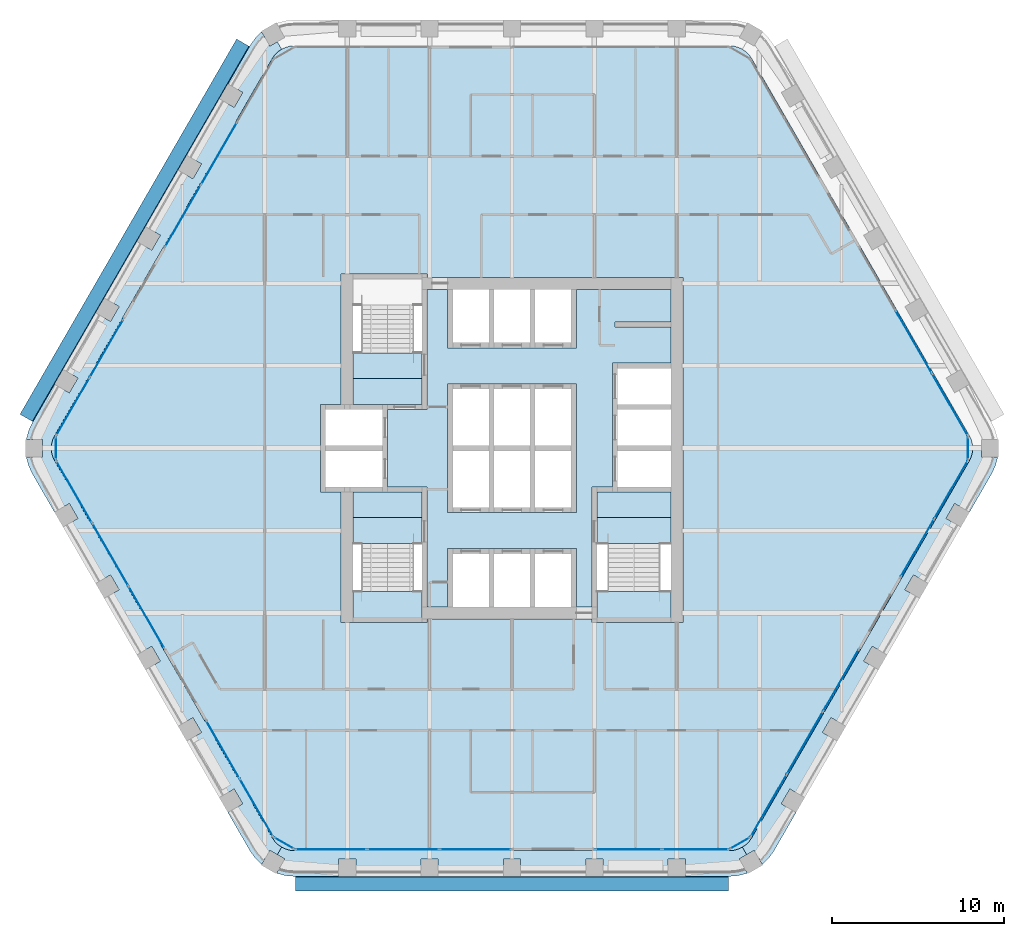
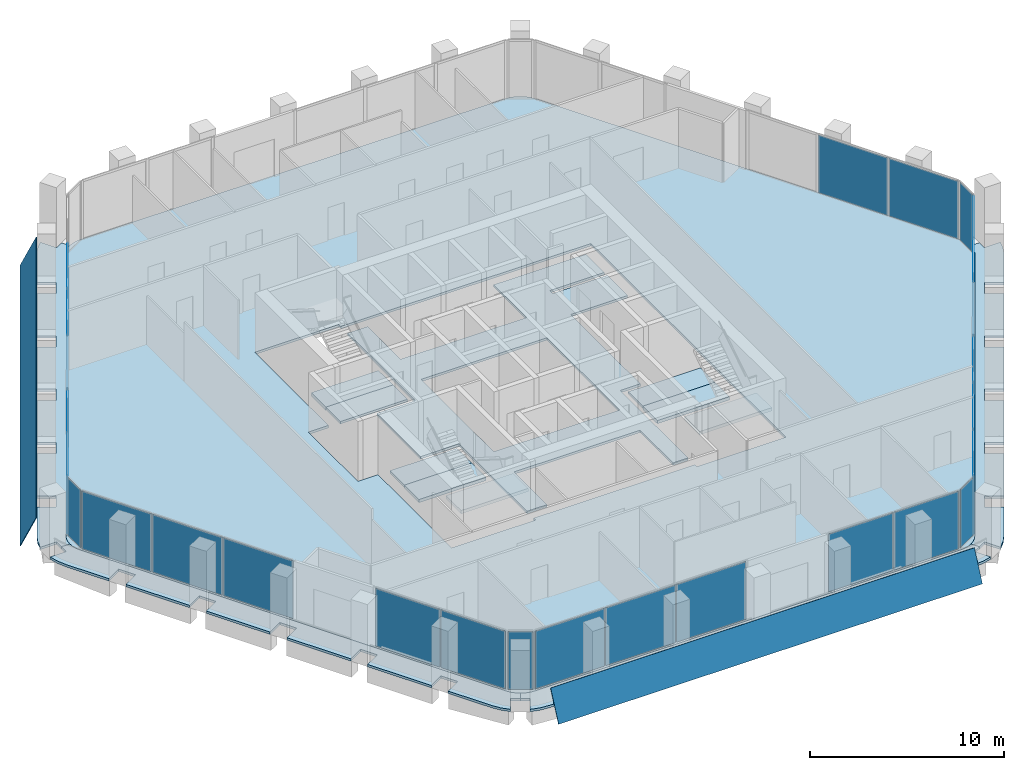
# One storey, part 7 of 15: 27 plates, 14 slabs, 16 elements without a shape of their own.
"""IFC4 building model written with IfcOpenShell, lengths in metres."""

from ifc_helpers import new_model, si_unit, direction, frame, origin, origin_2d, place, context, subcontext, project, spatial, polyline, rectangle, outline, extrude, material, layer, layer_set, type_object, element, aggregate, save


model = new_model("IFC4")

# Units and contexts
model_context = context("Model", 3, precision=1e-05, world=origin(), true_north=direction((0.0, 1.0)))
body_context = subcontext(model_context, "Body", "Model", "MODEL_VIEW")
ifc_project = project(units=[si_unit("LENGTHUNIT", "METRE"), si_unit("AREAUNIT", "SQUARE_METRE"), si_unit("VOLUMEUNIT", "CUBIC_METRE"), si_unit("PLANEANGLEUNIT", "RADIAN"), si_unit("MASSUNIT", "GRAM", prefix="KILO")], contexts=[model_context])

# Site, building, storey
site_placement = place(None, origin())
site = spatial("IfcSite", under=ifc_project, at=site_placement, CompositionType="ELEMENT")
building_placement = place(site_placement, origin())
building = spatial("IfcBuilding", under=site, at=building_placement, Name="Kolab Exchange Tower", CompositionType="ELEMENT")
storey_placement = place(building_placement, frame((0.0, 0.0, 170.0)))
storey = spatial("IfcBuildingStorey", under=building, at=storey_placement, Name="L35", CompositionType="ELEMENT", Elevation=170.0)

# Slabs
ifc_material_1 = material(Name="Concrete C35/45", Category="concrete")
ifc_layer_1 = layer(ifc_material_1, 0.14990234375)
ifc_layer_set_1 = layer_set([ifc_layer_1], Name="Concrete C35/45")
slab_type_1 = type_object("IfcSlabType", Name="FLOOR SLAB 150", PredefinedType="FLOOR", material=ifc_layer_set_1)
slab_1_placement = place(storey_placement, frame((0.0, 0.0, -0.14990234375)))
element("IfcSlab", 1, at=slab_1_placement, inside=storey, type_object=slab_type_1, Name="slab/L35/floor/0", PredefinedType="FLOOR", context=body_context, shape_type="SweptSolid", body=[
    extrude(outline(polyline([(13.967041015625, -22.691650390625), (26.635009765625, -0.75), (26.745361328125, -0.512939453125), (26.81298828125, -0.260498046875), (26.8359375, 0.0), (26.81298828125, 0.260498046875), (26.745361328125, 0.512939453125), (26.635009765625, 0.75), (13.967041015625, 22.691650390625), (13.81689453125, 22.90576171875), (13.632080078125, 23.090576171875), (13.41796875, 23.240478515625), (13.180908203125, 23.35107421875), (12.928466796875, 23.418701171875), (12.66796875, 23.441650390625), (-12.66796875, 23.441650390625), (-12.928466796875, 23.418701171875), (-13.180908203125, 23.35107421875), (-13.41796875, 23.240478515625), (-13.632080078125, 23.090576171875), (-13.81689453125, 22.90576171875), (-13.967041015625, 22.691650390625), (-26.635009765625, 0.75), (-26.745361328125, 0.512939453125), (-26.81298828125, 0.260498046875), (-26.8359375, 0.0), (-26.81298828125, -0.260498046875), (-26.745361328125, -0.512939453125), (-26.635009765625, -0.75), (-13.967041015625, -22.691650390625), (-13.81689453125, -22.90576171875), (-13.632080078125, -23.090576171875), (-13.41796875, -23.240478515625), (-13.180908203125, -23.35107421875), (-12.928466796875, -23.418701171875), (-12.66796875, -23.441650390625), (12.66796875, -23.441650390625), (12.928466796875, -23.418701171875), (13.180908203125, -23.35107421875), (13.41796875, -23.240478515625), (13.632080078125, -23.090576171875), (13.81689453125, -22.90576171875), (13.967041015625, -22.691650390625)]), holes=[polyline([(-9.25, -10.14990234375), (-9.949951171875, -10.14990234375), (-9.949951171875, -2.550048828125), (-10.85009765625, -2.550048828125), (-11.14990234375, -2.550048828125), (-11.14990234375, 2.550048828125), (-10.85009765625, 2.550048828125), (-9.949951171875, 2.550048828125), (-9.949951171875, 10.14990234375), (-9.25, 10.14990234375), (-5.25, 10.14990234375), (-4.949951171875, 10.14990234375), (-4.949951171875, 9.949951171875), (9.25, 9.949951171875), (9.949951171875, 9.949951171875), (9.949951171875, -10.14990234375), (9.25, -10.14990234375), (4.949951171875, -10.14990234375), (4.64990234375, -10.14990234375), (4.64990234375, -9.949951171875), (-4.949951171875, -9.949951171875), (-4.949951171875, -10.14990234375), (-5.25, -10.14990234375), (-9.25, -10.14990234375)])]), origin(), (0.0, 0.0, 1.0), 0.14990234375),
])
slab_2_placement = place(storey_placement, frame((0.0, 0.0, -0.14990234375)))
element("IfcSlab", 2, at=slab_2_placement, inside=storey, type_object=slab_type_1, Name="slab/L35/floor/1", PredefinedType="FLOOR", context=body_context, shape_type="SweptSolid", body=[
    extrude(outline(polyline([(-4.949951171875, 9.25), (-4.949951171875, 2.25), (-5.25, 2.25), (-7.25, 2.25), (-7.25, -2.25), (-5.25, -2.25), (-4.949951171875, -2.25), (-4.949951171875, -9.25), (-3.75, -9.25), (-3.75, -5.85009765625), (-3.449951171875, -5.85009765625), (-1.35009765625, -5.85009765625), (-1.050048828125, -5.85009765625), (1.050048828125, -5.85009765625), (1.35009765625, -5.85009765625), (3.449951171875, -5.85009765625), (3.75, -5.85009765625), (3.75, -9.25), (4.64990234375, -9.25), (4.64990234375, -2.25), (4.949951171875, -2.25), (5.85009765625, -2.25), (5.85009765625, 4.949951171875), (6.14990234375, 4.949951171875), (9.25, 4.949951171875), (9.25, 7.050048828125), (6.0, 7.050048828125), (6.0, 7.35009765625), (9.25, 7.35009765625), (9.25, 9.25), (3.75, 9.25), (3.75, 5.85009765625), (3.449951171875, 5.85009765625), (1.35009765625, 5.85009765625), (1.050048828125, 5.85009765625), (-1.050048828125, 5.85009765625), (-1.35009765625, 5.85009765625), (-3.449951171875, 5.85009765625), (-3.75, 5.85009765625), (-3.75, 9.25), (-4.949951171875, 9.25)]), holes=[polyline([(-3.449951171875, -3.75), (-3.75, -3.75), (-3.75, 3.75), (-3.449951171875, 3.75), (-1.35009765625, 3.75), (-1.050048828125, 3.75), (1.050048828125, 3.75), (1.35009765625, 3.75), (3.449951171875, 3.75), (3.75, 3.75), (3.75, -3.75), (3.449951171875, -3.75), (1.35009765625, -3.75), (1.050048828125, -3.75), (-1.050048828125, -3.75), (-1.35009765625, -3.75), (-3.449951171875, -3.75)])]), origin(), (0.0, 0.0, 1.0), 0.14990234375),
])
slab_3_placement = place(storey_placement, frame((0.0, 0.0, -0.14990234375)))
element("IfcSlab", 3, at=slab_3_placement, inside=storey, type_object=slab_type_1, Name="slab/L35/floor/2", PredefinedType="FLOOR", context=body_context, shape_type="SweptSolid", body=[
    extrude(outline(polyline([(4.949951171875, -4.050048828125), (9.25, -4.050048828125), (9.25, -2.550048828125), (6.14990234375, -2.550048828125), (5.85009765625, -2.550048828125), (4.949951171875, -2.550048828125), (4.949951171875, -4.050048828125)])), origin(), (0.0, 0.0, 1.0), 0.14990234375),
])
slab_4_placement = place(storey_placement, frame((0.0, 0.0, -0.14990234375)))
element("IfcSlab", 4, at=slab_4_placement, inside=storey, type_object=slab_type_1, Name="slab/L35/floor/3", PredefinedType="FLOOR", context=body_context, shape_type="SweptSolid", body=[
    extrude(outline(polyline([(-7.550048828125, -2.550048828125), (-9.25, -2.550048828125), (-9.25, -4.050048828125), (-5.25, -4.050048828125), (-5.25, -2.550048828125), (-7.25, -2.550048828125), (-7.550048828125, -2.550048828125)])), origin(), (0.0, 0.0, 1.0), 0.14990234375),
])
slab_5_placement = place(storey_placement, frame((0.0, 0.0, -0.14990234375)))
element("IfcSlab", 5, at=slab_5_placement, inside=storey, type_object=slab_type_1, Name="slab/L35/floor/4", PredefinedType="FLOOR", context=body_context, shape_type="SweptSolid", body=[
    extrude(outline(polyline([(-9.25, 2.550048828125), (-7.550048828125, 2.550048828125), (-7.25, 2.550048828125), (-5.25, 2.550048828125), (-5.25, 4.050048828125), (-9.25, 4.050048828125), (-9.25, 2.550048828125)])), origin(), (0.0, 0.0, 1.0), 0.14990234375),
])
ifc_layer_2 = layer(ifc_material_1, 0.14990234375)
ifc_layer_set_2 = layer_set([ifc_layer_2], Name="Concrete C35/45")
slab_type_2 = type_object("IfcSlabType", Name="LOGGIA SLAB 150", PredefinedType="FLOOR", material=ifc_layer_set_2)
slab_6_placement = place(storey_placement, frame((0.0, 0.0, -0.14990234375)))
element("IfcSlab", 6, at=slab_6_placement, inside=storey, type_object=slab_type_2, Name="slab/L35/loggia/2-0", PredefinedType="FLOOR", context=body_context, shape_type="SweptSolid", body=[
    extrude(outline(polyline([(15.26611328125, -23.441650390625), (16.550048828125, -21.217529296875), (15.68408203125, -20.717529296875), (16.18408203125, -19.8515625), (17.050048828125, -20.3515625), (18.949951171875, -17.060791015625), (18.083984375, -16.560791015625), (18.583984375, -15.694580078125), (19.449951171875, -16.194580078125), (21.35009765625, -12.90380859375), (20.48388671875, -12.40380859375), (20.98388671875, -11.537841796875), (21.85009765625, -12.037841796875), (23.75, -8.746826171875), (22.884033203125, -8.246826171875), (23.384033203125, -7.380859375), (24.25, -7.880859375), (26.14990234375, -4.58984375), (25.283935546875, -4.08984375), (25.783935546875, -3.223876953125), (26.64990234375, -3.723876953125), (27.93408203125, -1.5), (28.155029296875, -1.026123046875), (28.290283203125, -0.52099609375), (28.292236328125, -0.5), (27.3359375, -0.5), (27.3359375, 0.0), (26.8359375, 0.0), (26.81298828125, -0.260498046875), (26.745361328125, -0.512939453125), (26.635009765625, -0.75), (13.967041015625, -22.691650390625), (13.81689453125, -22.90576171875), (13.632080078125, -23.090576171875), (13.41796875, -23.240478515625), (13.66796875, -23.673583984375), (14.10107421875, -23.423583984375), (14.5791015625, -24.251708984375), (14.59619140625, -24.23974609375), (14.966064453125, -23.869873046875), (15.26611328125, -23.441650390625)])), origin(), (0.0, 0.0, 1.0), 0.14990234375),
])
slab_7_placement = place(storey_placement, frame((0.0, 0.0, -0.14990234375)))
element("IfcSlab", 7, at=slab_7_placement, inside=storey, type_object=slab_type_2, Name="slab/L35/loggia/3-0", PredefinedType="FLOOR", context=body_context, shape_type="SweptSolid", body=[
    extrude(outline(polyline([(-13.41796875, -23.240478515625), (-13.66796875, -23.673583984375), (-13.23486328125, -23.923583984375), (-13.713134765625, -24.751708984375), (-13.694091796875, -24.760498046875), (-13.18896484375, -24.89599609375), (-12.66796875, -24.941650390625), (-10.10009765625, -24.941650390625), (-10.10009765625, -23.941650390625), (-9.10009765625, -23.941650390625), (-9.10009765625, -24.941650390625), (-5.300048828125, -24.941650390625), (-5.300048828125, -23.941650390625), (-4.300048828125, -23.941650390625), (-4.300048828125, -24.941650390625), (-0.5, -24.941650390625), (-0.5, -23.941650390625), (0.5, -23.941650390625), (0.5, -24.941650390625), (4.300048828125, -24.941650390625), (4.300048828125, -23.941650390625), (5.300048828125, -23.941650390625), (5.300048828125, -24.941650390625), (9.10009765625, -24.941650390625), (9.10009765625, -23.941650390625), (10.10009765625, -23.941650390625), (10.10009765625, -24.941650390625), (12.66796875, -24.941650390625), (13.18896484375, -24.89599609375), (13.694091796875, -24.760498046875), (13.713134765625, -24.751708984375), (13.23486328125, -23.923583984375), (13.66796875, -23.673583984375), (13.41796875, -23.240478515625), (13.180908203125, -23.35107421875), (12.928466796875, -23.418701171875), (12.66796875, -23.441650390625), (-12.66796875, -23.441650390625), (-12.928466796875, -23.418701171875), (-13.180908203125, -23.35107421875), (-13.41796875, -23.240478515625)])), origin(), (0.0, 0.0, 1.0), 0.14990234375),
])
slab_8_placement = place(storey_placement, frame((0.0, 0.0, -0.14990234375)))
element("IfcSlab", 8, at=slab_8_placement, inside=storey, type_object=slab_type_2, Name="slab/L35/loggia/4-0", PredefinedType="FLOOR", context=body_context, shape_type="SweptSolid", body=[
    extrude(outline(polyline([(-26.8359375, 0.0), (-27.3359375, 0.0), (-27.3359375, -0.5), (-28.292236328125, -0.5), (-28.290283203125, -0.52099609375), (-28.155029296875, -1.026123046875), (-27.93408203125, -1.5), (-26.64990234375, -3.723876953125), (-25.783935546875, -3.223876953125), (-25.283935546875, -4.08984375), (-26.14990234375, -4.58984375), (-24.25, -7.880859375), (-23.384033203125, -7.380859375), (-22.884033203125, -8.246826171875), (-23.75, -8.746826171875), (-21.85009765625, -12.037841796875), (-20.98388671875, -11.537841796875), (-20.48388671875, -12.40380859375), (-21.35009765625, -12.90380859375), (-19.449951171875, -16.194580078125), (-18.583984375, -15.694580078125), (-18.083984375, -16.560791015625), (-18.949951171875, -17.060791015625), (-17.050048828125, -20.3515625), (-16.18408203125, -19.8515625), (-15.68408203125, -20.717529296875), (-16.550048828125, -21.217529296875), (-15.26611328125, -23.441650390625), (-14.966064453125, -23.869873046875), (-14.59619140625, -24.23974609375), (-14.5791015625, -24.251708984375), (-14.10107421875, -23.423583984375), (-13.66796875, -23.673583984375), (-13.41796875, -23.240478515625), (-13.632080078125, -23.090576171875), (-13.81689453125, -22.90576171875), (-13.967041015625, -22.691650390625), (-26.635009765625, -0.75), (-26.745361328125, -0.512939453125), (-26.81298828125, -0.260498046875), (-26.8359375, 0.0)])), origin(), (0.0, 0.0, 1.0), 0.14990234375),
])
slab_9_placement = place(storey_placement, frame((0.0, 0.0, -0.14990234375)))
element("IfcSlab", 9, at=slab_9_placement, inside=storey, type_object=slab_type_2, Name="slab/L35/loggia/5-0", PredefinedType="FLOOR", context=body_context, shape_type="SweptSolid", body=[
    extrude(outline(polyline([(-13.41796875, 23.240478515625), (-13.66796875, 23.673583984375), (-14.10107421875, 23.423583984375), (-14.5791015625, 24.251708984375), (-14.59619140625, 24.23974609375), (-14.966064453125, 23.869873046875), (-15.26611328125, 23.441650390625), (-16.550048828125, 21.217529296875), (-15.68408203125, 20.717529296875), (-16.18408203125, 19.8515625), (-17.050048828125, 20.3515625), (-18.949951171875, 17.060791015625), (-18.083984375, 16.560791015625), (-18.583984375, 15.694580078125), (-19.449951171875, 16.194580078125), (-21.35009765625, 12.90380859375), (-20.48388671875, 12.40380859375), (-20.98388671875, 11.537841796875), (-21.85009765625, 12.037841796875), (-23.75, 8.746826171875), (-22.884033203125, 8.246826171875), (-23.384033203125, 7.380859375), (-24.25, 7.880859375), (-26.14990234375, 4.58984375), (-25.283935546875, 4.08984375), (-25.783935546875, 3.223876953125), (-26.64990234375, 3.723876953125), (-27.93408203125, 1.5), (-28.155029296875, 1.026123046875), (-28.290283203125, 0.52099609375), (-28.292236328125, 0.5), (-27.3359375, 0.5), (-27.3359375, 0.0), (-26.8359375, 0.0), (-26.81298828125, 0.260498046875), (-26.745361328125, 0.512939453125), (-26.635009765625, 0.75), (-13.967041015625, 22.691650390625), (-13.81689453125, 22.90576171875), (-13.632080078125, 23.090576171875), (-13.41796875, 23.240478515625)])), origin(), (0.0, 0.0, 1.0), 0.14990234375),
])

# Plates
ifc_material_2 = material(Name="Laminated glass, clear", Category="glass")
ifc_layer_3 = layer(ifc_material_2, 0.0400390625)
ifc_layer_set_3 = layer_set([ifc_layer_3], Name="Laminated glass, clear")
plate_type_1 = type_object("IfcPlateType", Name="OUTER SKIN LAMINATED GLASS SHEET 40", PredefinedType="SHEET", material=ifc_layer_set_3)
plate_1_placement = place(storey_placement, frame((12.617919921875, -25.806640625, -0.68310546875), z_axis=(0.0, -0.906316657655, 0.422599238118), x_axis=(-1.0, 0.0, 0.0)))
element("IfcPlate", 10, at=plate_1_placement, inside=storey, type_object=plate_type_1, Name="Outer skin", PredefinedType="SHEET", context=body_context, shape_type="SweptSolid", body=[
    extrude(outline(polyline([(0.0, 0.0), (25.23583984375, 0.0), (25.23583984375, -1.961332030711248), (0.0, -1.961332030711248), (0.0, 0.0)])), origin(), (0.0, 0.0, -1.0), 0.0400390625),
])
plate_2_placement = place(storey_placement, frame((-28.658203125, 1.975830078125, -0.68310546875), z_axis=(-0.784898656704, 0.453161865271, 0.422585402693), x_axis=(0.499999968995, 0.866025421685, -9.26315e-07)))
element("IfcPlate", 11, at=plate_2_placement, inside=storey, type_object=plate_type_1, Name="Outer skin", PredefinedType="SHEET", context=body_context, shape_type="SweptSolid", body=[
    extrude(outline(polyline([(0.0, 0.0), (25.23592824607872, 0.0), (25.23580178082614, -1.96134386267648), (8.496673513263058e-05, -1.9612922777250188), (0.0, 0.0)])), origin(), (0.0, 0.0, -1.0), 0.0400390625),
])

# Stair, slab
ifc_material_3 = material(Name="Concrete C50/60", Category="concrete")
stair_type_1 = type_object("IfcStairType", Name="STAIR ST1 RISER 177.3", PredefinedType="HALF_TURN_STAIR", material=ifc_material_3)
stair_1_placement = place(storey_placement, origin())
stair_1 = element("IfcStair", 12, at=stair_1_placement, inside=storey, type_object=stair_type_1, Name="Stair 1", PredefinedType="HALF_TURN_STAIR")
ifc_layer_4 = layer(ifc_material_3, 0.199951171875)
ifc_layer_set_4 = layer_set([ifc_layer_4], Name="Concrete C50/60")
slab_type_3 = type_object("IfcSlabType", Name="STAIR LANDING 200", PredefinedType="LANDING", material=ifc_layer_set_4)
slab_10_placement = place(storey_placement, frame((0.0, 0.0, -0.199951171875)))
slab_10 = element("IfcSlab", 13, at=slab_10_placement, type_object=slab_type_3, Name="ST1 landing 1", PredefinedType="LANDING", context=body_context, shape_type="SweptSolid", body=[
    extrude(outline(polyline([(-9.25, 4.050048828125), (-5.25, 4.050048828125), (-5.25, 5.550048828125), (-9.25, 5.550048828125), (-9.25, 4.050048828125)])), origin(), (0.0, 0.0, 1.0), 0.199951171875),
])
aggregate(stair_1, [slab_10])

# Stair, slabs
stair_type_2 = type_object("IfcStairType", Name="STAIR ST3 RISER 177.3", PredefinedType="HALF_TURN_STAIR", material=ifc_material_3)
stair_2_placement = place(storey_placement, origin())
stair_2 = element("IfcStair", 14, at=stair_2_placement, inside=storey, type_object=stair_type_2, Name="Stair 3", PredefinedType="HALF_TURN_STAIR")
slab_11_placement = place(storey_placement, frame((0.0, 0.0, -0.199951171875)))
slab_11 = element("IfcSlab", 15, at=slab_11_placement, type_object=slab_type_3, Name="ST3 landing 1", PredefinedType="LANDING", context=body_context, shape_type="SweptSolid", body=[
    extrude(outline(polyline([(-9.25, -5.550048828125), (-5.25, -5.550048828125), (-5.25, -4.050048828125), (-9.25, -4.050048828125), (-9.25, -5.550048828125)])), origin(), (0.0, 0.0, 1.0), 0.199951171875),
])
slab_12_placement = place(storey_placement, frame((0.0, 0.0, 1.75)))
slab_12 = element("IfcSlab", 16, at=slab_12_placement, type_object=slab_type_3, Name="ST3 landing 2", PredefinedType="LANDING", context=body_context, shape_type="SweptSolid", body=[
    extrude(outline(polyline([(-9.25, -9.909912109375), (-5.25, -9.909912109375), (-5.25, -8.35009765625), (-9.25, -8.35009765625), (-9.25, -9.909912109375)])), origin(), (0.0, 0.0, 1.0), 0.199951171875),
])
aggregate(stair_2, [slab_11, slab_12])

stair_type_3 = type_object("IfcStairType", Name="STAIR ST2 RISER 177.3", PredefinedType="HALF_TURN_STAIR", material=ifc_material_3)
stair_3_placement = place(storey_placement, origin())
stair_3 = element("IfcStair", 17, at=stair_3_placement, inside=storey, type_object=stair_type_3, Name="Stair 2", PredefinedType="HALF_TURN_STAIR")
slab_13_placement = place(storey_placement, frame((0.0, 0.0, -0.199951171875)))
slab_13 = element("IfcSlab", 18, at=slab_13_placement, type_object=slab_type_3, Name="ST2 landing 1", PredefinedType="LANDING", context=body_context, shape_type="SweptSolid", body=[
    extrude(outline(polyline([(4.949951171875, -5.550048828125), (9.25, -5.550048828125), (9.25, -4.050048828125), (4.949951171875, -4.050048828125), (4.949951171875, -5.550048828125)])), origin(), (0.0, 0.0, 1.0), 0.199951171875),
])
slab_14_placement = place(storey_placement, frame((0.0, 0.0, 1.75)))
slab_14 = element("IfcSlab", 19, at=slab_14_placement, type_object=slab_type_3, Name="ST2 landing 2", PredefinedType="LANDING", context=body_context, shape_type="SweptSolid", body=[
    extrude(outline(polyline([(4.949951171875, -9.909912109375), (9.25, -9.909912109375), (9.25, -8.35009765625), (4.949951171875, -8.35009765625), (4.949951171875, -9.909912109375)])), origin(), (0.0, 0.0, 1.0), 0.199951171875),
])
aggregate(stair_3, [slab_13, slab_14])

# Curtain wall, plates
ifc_material_4 = material(Name="Aluminium EN AW-6063 T6", Category="aluminium")
curtain_wall_type = type_object("IfcCurtainWallType", Name="UNITISED UPPER MID ZONE CURTAIN WALL", PredefinedType="NOTDEFINED", material=ifc_material_4)
curtain_wall_1_placement = place(storey_placement, origin())
curtain_wall_1 = element("IfcCurtainWall", 20, at=curtain_wall_1_placement, inside=storey, type_object=curtain_wall_type, Name="cw/L35/F2-2", PredefinedType="NOTDEFINED")
ifc_material_5 = material(Name="Clear insulated glazing unit", Category="glass")
ifc_layer_5 = layer(ifc_material_5, 0.028076171875)
ifc_layer_set_5 = layer_set([ifc_layer_5], Name="Clear insulated glazing unit")
plate_type_2 = type_object("IfcPlateType", Name="UNITISED UPPER MID ZONE GLASS PANEL 28", PredefinedType="CURTAIN_PANEL", material=ifc_layer_set_5)
plate_3_placement = place(storey_placement, frame((23.398681640625, 6.1953125, 0.06005859375), z_axis=(0.0, 0.0, 1.0), x_axis=(0.499999958358, -0.866025427826, 0.0)))
plate_3 = element("IfcPlate", 21, at=plate_3_placement, type_object=plate_type_2, Name="CW3 panel 2.1", PredefinedType="CURTAIN_PANEL", context=body_context, shape_type="SweptSolid", body=[
    extrude(rectangle(XDim=4.16259765625, YDim=0.028076171875, at=origin_2d()), origin(), (0.0, 0.0, 1.0), 3.6298828125),
])
plate_4_placement = place(storey_placement, frame((25.50244140625, 2.551513671875, 0.06005859375), z_axis=(0.0, 0.0, 1.0), x_axis=(0.499999958358, -0.866025427826, 0.0)))
plate_4 = element("IfcPlate", 22, at=plate_4_placement, type_object=plate_type_2, Name="CW3 panel 3.1", PredefinedType="CURTAIN_PANEL", context=body_context, shape_type="SweptSolid", body=[
    extrude(rectangle(XDim=4.132568359375, YDim=0.028076171875, at=origin_2d()), origin(), (0.0, 0.0, 1.0), 3.6298828125),
])
aggregate(curtain_wall_1, [plate_3, plate_4])

curtain_wall_2_placement = place(storey_placement, origin())
curtain_wall_2 = element("IfcCurtainWall", 23, at=curtain_wall_2_placement, inside=storey, type_object=curtain_wall_type, Name="cw/L35/F3-1", PredefinedType="NOTDEFINED")
plate_5_placement = place(storey_placement, frame((25.57470703125, -2.426513671875, 0.06005859375), z_axis=(0.0, 0.0, 1.0), x_axis=(-0.499999936366, -0.866025440524, 0.0)))
plate_5 = element("IfcPlate", 24, at=plate_5_placement, type_object=plate_type_2, Name="CW3 panel 1.1", PredefinedType="CURTAIN_PANEL", context=body_context, shape_type="SweptSolid", body=[
    extrude(rectangle(XDim=3.843994140625, YDim=0.028076171875, at=origin_2d()), origin(), (0.0, 0.0, 1.0), 3.6298828125),
])
plate_6_placement = place(storey_placement, frame((23.62255859375, -5.807373046875, 0.06005859375), z_axis=(0.0, 0.0, 1.0), x_axis=(-0.499999936366, -0.866025440524, 0.0)))
plate_6 = element("IfcPlate", 25, at=plate_6_placement, type_object=plate_type_2, Name="CW3 panel 2.1", PredefinedType="CURTAIN_PANEL", context=body_context, shape_type="SweptSolid", body=[
    extrude(rectangle(XDim=3.843994140625, YDim=0.028076171875, at=origin_2d()), origin(), (0.0, 0.0, 1.0), 3.6298828125),
])
aggregate(curtain_wall_2, [plate_5, plate_6])

curtain_wall_3_placement = place(storey_placement, origin())
curtain_wall_3 = element("IfcCurtainWall", 26, at=curtain_wall_3_placement, inside=storey, type_object=curtain_wall_type, Name="cw/L35/F3-2", PredefinedType="NOTDEFINED")
plate_7_placement = place(storey_placement, frame((19.16845703125, -13.522216796875, 0.06005859375), z_axis=(0.0, 0.0, 1.0), x_axis=(-0.500000017564, -0.866025393644, 0.0)))
plate_7 = element("IfcPlate", 27, at=plate_7_placement, type_object=plate_type_2, Name="CW3 panel 1.1", PredefinedType="CURTAIN_PANEL", context=body_context, shape_type="SweptSolid", body=[
    extrude(rectangle(XDim=4.132568359375, YDim=0.028076171875, at=origin_2d()), origin(), (0.0, 0.0, 1.0), 3.6298828125),
])
plate_8_placement = place(storey_placement, frame((17.064697265625, -17.166259765625, 0.06005859375), z_axis=(0.0, 0.0, 1.0), x_axis=(-0.500000017564, -0.866025393644, 0.0)))
plate_8 = element("IfcPlate", 28, at=plate_8_placement, type_object=plate_type_2, Name="CW3 panel 2.1", PredefinedType="CURTAIN_PANEL", context=body_context, shape_type="SweptSolid", body=[
    extrude(rectangle(XDim=4.16259765625, YDim=0.028076171875, at=origin_2d()), origin(), (0.0, 0.0, 1.0), 3.6298828125),
])
plate_9_placement = place(storey_placement, frame((14.9609375, -20.81005859375, 0.06005859375), z_axis=(0.0, 0.0, 1.0), x_axis=(-0.500000017564, -0.866025393644, 0.0)))
plate_9 = element("IfcPlate", 29, at=plate_9_placement, type_object=plate_type_2, Name="CW3 panel 3.1", PredefinedType="CURTAIN_PANEL", context=body_context, shape_type="SweptSolid", body=[
    extrude(rectangle(XDim=4.132568359375, YDim=0.028076171875, at=origin_2d()), origin(), (0.0, 0.0, 1.0), 3.6298828125),
])
aggregate(curtain_wall_3, [plate_7, plate_8, plate_9])

curtain_wall_4_placement = place(storey_placement, origin())
curtain_wall_4 = element("IfcCurtainWall", 30, at=curtain_wall_4_placement, inside=storey, type_object=curtain_wall_type, Name="cw/L35/F4-1", PredefinedType="NOTDEFINED")
plate_10_placement = place(storey_placement, frame((10.68603515625, -23.361572265625, 0.06005859375), z_axis=(0.0, 0.0, 1.0), x_axis=(-1.0, 0.0, 0.0)))
plate_10 = element("IfcPlate", 31, at=plate_10_placement, type_object=plate_type_2, Name="CW3 panel 1.1", PredefinedType="CURTAIN_PANEL", context=body_context, shape_type="SweptSolid", body=[
    extrude(rectangle(XDim=3.843994140625, YDim=0.028076171875, at=origin_2d()), origin(), (0.0, 0.0, 1.0), 3.6298828125),
])
plate_11_placement = place(storey_placement, frame((6.781982421875, -23.361572265625, 0.06005859375), z_axis=(0.0, 0.0, 1.0), x_axis=(-1.0, 0.0, 0.0)))
plate_11 = element("IfcPlate", 32, at=plate_11_placement, type_object=plate_type_2, Name="CW3 panel 2.1", PredefinedType="CURTAIN_PANEL", context=body_context, shape_type="SweptSolid", body=[
    extrude(rectangle(XDim=3.843994140625, YDim=0.028076171875, at=origin_2d()), origin(), (0.0, 0.0, 1.0), 3.6298828125),
])
aggregate(curtain_wall_4, [plate_10, plate_11])

curtain_wall_5_placement = place(storey_placement, origin())
curtain_wall_5 = element("IfcCurtainWall", 33, at=curtain_wall_5_placement, inside=storey, type_object=curtain_wall_type, Name="cw/L35/F4-2", PredefinedType="NOTDEFINED")
plate_12_placement = place(storey_placement, frame((-2.126220703125, -23.361572265625, 0.06005859375), z_axis=(0.0, 0.0, 1.0), x_axis=(-1.0, 0.0, 0.0)))
plate_12 = element("IfcPlate", 34, at=plate_12_placement, type_object=plate_type_2, Name="CW3 panel 1.1", PredefinedType="CURTAIN_PANEL", context=body_context, shape_type="SweptSolid", body=[
    extrude(rectangle(XDim=4.132568359375, YDim=0.028076171875, at=origin_2d()), origin(), (0.0, 0.0, 1.0), 3.6298828125),
])
plate_13_placement = place(storey_placement, frame((-6.333984375, -23.361572265625, 0.06005859375), z_axis=(0.0, 0.0, 1.0), x_axis=(-1.0, 0.0, 0.0)))
plate_13 = element("IfcPlate", 35, at=plate_13_placement, type_object=plate_type_2, Name="CW3 panel 2.1", PredefinedType="CURTAIN_PANEL", context=body_context, shape_type="SweptSolid", body=[
    extrude(rectangle(XDim=4.16259765625, YDim=0.028076171875, at=origin_2d()), origin(), (0.0, 0.0, 1.0), 3.6298828125),
])
plate_14_placement = place(storey_placement, frame((-10.54150390625, -23.361572265625, 0.06005859375), z_axis=(0.0, 0.0, 1.0), x_axis=(-1.0, 0.0, 0.0)))
plate_14 = element("IfcPlate", 36, at=plate_14_placement, type_object=plate_type_2, Name="CW3 panel 3.1", PredefinedType="CURTAIN_PANEL", context=body_context, shape_type="SweptSolid", body=[
    extrude(rectangle(XDim=4.132568359375, YDim=0.028076171875, at=origin_2d()), origin(), (0.0, 0.0, 1.0), 3.6298828125),
])
aggregate(curtain_wall_5, [plate_12, plate_13, plate_14])

curtain_wall_6_placement = place(storey_placement, origin())
curtain_wall_6 = element("IfcCurtainWall", 37, at=curtain_wall_6_placement, inside=storey, type_object=curtain_wall_type, Name="cw/L35/F5-1", PredefinedType="NOTDEFINED")
plate_15_placement = place(storey_placement, frame((-14.888671875, -20.93505859375, 0.06005859375), z_axis=(0.0, 0.0, 1.0), x_axis=(-0.500000031681, 0.866025385493, 0.0)))
plate_15 = element("IfcPlate", 38, at=plate_15_placement, type_object=plate_type_2, Name="CW3 panel 1.1", PredefinedType="CURTAIN_PANEL", context=body_context, shape_type="SweptSolid", body=[
    extrude(rectangle(XDim=3.843994140625, YDim=0.028076171875, at=origin_2d()), origin(), (0.0, 0.0, 1.0), 3.6298828125),
])
plate_16_placement = place(storey_placement, frame((-16.840576171875, -17.55419921875, 0.06005859375), z_axis=(0.0, 0.0, 1.0), x_axis=(-0.500000031681, 0.866025385493, 0.0)))
plate_16 = element("IfcPlate", 39, at=plate_16_placement, type_object=plate_type_2, Name="CW3 panel 2.1", PredefinedType="CURTAIN_PANEL", context=body_context, shape_type="SweptSolid", body=[
    extrude(rectangle(XDim=3.843994140625, YDim=0.028076171875, at=origin_2d()), origin(), (0.0, 0.0, 1.0), 3.6298828125),
])
aggregate(curtain_wall_6, [plate_15, plate_16])

curtain_wall_7_placement = place(storey_placement, origin())
curtain_wall_7 = element("IfcCurtainWall", 40, at=curtain_wall_7_placement, inside=storey, type_object=curtain_wall_type, Name="cw/L35/F5-2", PredefinedType="NOTDEFINED")
plate_17_placement = place(storey_placement, frame((-21.294921875, -9.83935546875, 0.06005859375), z_axis=(0.0, 0.0, 1.0), x_axis=(-0.499999958358, 0.866025427826, 0.0)))
plate_17 = element("IfcPlate", 41, at=plate_17_placement, type_object=plate_type_2, Name="CW3 panel 1.1", PredefinedType="CURTAIN_PANEL", context=body_context, shape_type="SweptSolid", body=[
    extrude(rectangle(XDim=4.132568359375, YDim=0.028076171875, at=origin_2d()), origin(), (0.0, 0.0, 1.0), 3.6298828125),
])
plate_18_placement = place(storey_placement, frame((-23.398681640625, -6.1953125, 0.06005859375), z_axis=(0.0, 0.0, 1.0), x_axis=(-0.499999958358, 0.866025427826, 0.0)))
plate_18 = element("IfcPlate", 42, at=plate_18_placement, type_object=plate_type_2, Name="CW3 panel 2.1", PredefinedType="CURTAIN_PANEL", context=body_context, shape_type="SweptSolid", body=[
    extrude(rectangle(XDim=4.16259765625, YDim=0.028076171875, at=origin_2d()), origin(), (0.0, 0.0, 1.0), 3.6298828125),
])
plate_19_placement = place(storey_placement, frame((-25.50244140625, -2.551513671875, 0.06005859375), z_axis=(0.0, 0.0, 1.0), x_axis=(-0.499999958358, 0.866025427826, 0.0)))
plate_19 = element("IfcPlate", 43, at=plate_19_placement, type_object=plate_type_2, Name="CW3 panel 3.1", PredefinedType="CURTAIN_PANEL", context=body_context, shape_type="SweptSolid", body=[
    extrude(rectangle(XDim=4.132568359375, YDim=0.028076171875, at=origin_2d()), origin(), (0.0, 0.0, 1.0), 3.6298828125),
])
aggregate(curtain_wall_7, [plate_17, plate_18, plate_19])

curtain_wall_8_placement = place(storey_placement, origin())
curtain_wall_8 = element("IfcCurtainWall", 44, at=curtain_wall_8_placement, inside=storey, type_object=curtain_wall_type, Name="cw/L35/F6-1", PredefinedType="NOTDEFINED")
plate_20_placement = place(storey_placement, frame((-25.57470703125, 2.426513671875, 0.06005859375), z_axis=(0.0, 0.0, 1.0), x_axis=(0.499999936366, 0.866025440524, 0.0)))
plate_20 = element("IfcPlate", 45, at=plate_20_placement, type_object=plate_type_2, Name="CW3 panel 1.1", PredefinedType="CURTAIN_PANEL", context=body_context, shape_type="SweptSolid", body=[
    extrude(rectangle(XDim=3.843994140625, YDim=0.028076171875, at=origin_2d()), origin(), (0.0, 0.0, 1.0), 3.6298828125),
])
plate_21_placement = place(storey_placement, frame((-23.62255859375, 5.807373046875, 0.06005859375), z_axis=(0.0, 0.0, 1.0), x_axis=(0.499999936366, 0.866025440524, 0.0)))
plate_21 = element("IfcPlate", 46, at=plate_21_placement, type_object=plate_type_2, Name="CW3 panel 2.1", PredefinedType="CURTAIN_PANEL", context=body_context, shape_type="SweptSolid", body=[
    extrude(rectangle(XDim=3.843994140625, YDim=0.028076171875, at=origin_2d()), origin(), (0.0, 0.0, 1.0), 3.6298828125),
])
aggregate(curtain_wall_8, [plate_20, plate_21])

curtain_wall_9_placement = place(storey_placement, origin())
curtain_wall_9 = element("IfcCurtainWall", 47, at=curtain_wall_9_placement, inside=storey, type_object=curtain_wall_type, Name="cw/L35/F6-2", PredefinedType="NOTDEFINED")
plate_22_placement = place(storey_placement, frame((-19.16845703125, 13.522216796875, 0.06005859375), z_axis=(0.0, 0.0, 1.0), x_axis=(0.500000017564, 0.866025393644, 0.0)))
plate_22 = element("IfcPlate", 48, at=plate_22_placement, type_object=plate_type_2, Name="CW3 panel 1.1", PredefinedType="CURTAIN_PANEL", context=body_context, shape_type="SweptSolid", body=[
    extrude(rectangle(XDim=4.132568359375, YDim=0.028076171875, at=origin_2d()), origin(), (0.0, 0.0, 1.0), 3.6298828125),
])
plate_23_placement = place(storey_placement, frame((-17.064697265625, 17.166259765625, 0.06005859375), z_axis=(0.0, 0.0, 1.0), x_axis=(0.500000017564, 0.866025393644, 0.0)))
plate_23 = element("IfcPlate", 49, at=plate_23_placement, type_object=plate_type_2, Name="CW3 panel 2.1", PredefinedType="CURTAIN_PANEL", context=body_context, shape_type="SweptSolid", body=[
    extrude(rectangle(XDim=4.16259765625, YDim=0.028076171875, at=origin_2d()), origin(), (0.0, 0.0, 1.0), 3.6298828125),
])
aggregate(curtain_wall_9, [plate_22, plate_23])

# Curtain wall, plate
curtain_wall_10_placement = place(storey_placement, origin())
curtain_wall_10 = element("IfcCurtainWall", 50, at=curtain_wall_10_placement, inside=storey, type_object=curtain_wall_type, Name="cw/L35/F2F3-corner", PredefinedType="NOTDEFINED")
plate_24_placement = place(storey_placement, frame((26.565673828125, 0.0, 0.06005859375), z_axis=(0.0, 0.0, 1.0), x_axis=(0.0, -1.0, 0.0)))
plate_24 = element("IfcPlate", 51, at=plate_24_placement, type_object=plate_type_2, Name="CW3 panel 1.1", PredefinedType="CURTAIN_PANEL", context=body_context, shape_type="SweptSolid", body=[
    extrude(rectangle(XDim=1.300048828125, YDim=0.028076171875, at=origin_2d()), origin(), (0.0, 0.0, 1.0), 3.6298828125),
])
aggregate(curtain_wall_10, [plate_24])

curtain_wall_11_placement = place(storey_placement, origin())
curtain_wall_11 = element("IfcCurtainWall", 52, at=curtain_wall_11_placement, inside=storey, type_object=curtain_wall_type, Name="cw/L35/F3F4-corner", PredefinedType="NOTDEFINED")
plate_25_placement = place(storey_placement, frame((13.28271484375, -23.006591796875, 0.06005859375), z_axis=(0.0, 0.0, 1.0), x_axis=(-0.866025390869, -0.50000002237, 0.0)))
plate_25 = element("IfcPlate", 53, at=plate_25_placement, type_object=plate_type_2, Name="CW3 panel 1.1", PredefinedType="CURTAIN_PANEL", context=body_context, shape_type="SweptSolid", body=[
    extrude(rectangle(XDim=1.300048828125, YDim=0.028076171875, at=origin_2d()), origin(), (0.0, 0.0, 1.0), 3.6298828125),
])
aggregate(curtain_wall_11, [plate_25])

curtain_wall_12_placement = place(storey_placement, origin())
curtain_wall_12 = element("IfcCurtainWall", 54, at=curtain_wall_12_placement, inside=storey, type_object=curtain_wall_type, Name="cw/L35/F4F5-corner", PredefinedType="NOTDEFINED")
plate_26_placement = place(storey_placement, frame((-13.28271484375, -23.006591796875, 0.06005859375), z_axis=(0.0, 0.0, 1.0), x_axis=(-0.866025390869, 0.50000002237, 0.0)))
plate_26 = element("IfcPlate", 55, at=plate_26_placement, type_object=plate_type_2, Name="CW3 panel 1.1", PredefinedType="CURTAIN_PANEL", context=body_context, shape_type="SweptSolid", body=[
    extrude(rectangle(XDim=1.300048828125, YDim=0.028076171875, at=origin_2d()), origin(), (0.0, 0.0, 1.0), 3.6298828125),
])
aggregate(curtain_wall_12, [plate_26])

curtain_wall_13_placement = place(storey_placement, origin())
curtain_wall_13 = element("IfcCurtainWall", 56, at=curtain_wall_13_placement, inside=storey, type_object=curtain_wall_type, Name="cw/L35/F5F6-corner", PredefinedType="NOTDEFINED")
plate_27_placement = place(storey_placement, frame((-26.565673828125, 0.0, 0.06005859375), z_axis=(0.0, 0.0, 1.0), x_axis=(0.0, 1.0, 0.0)))
plate_27 = element("IfcPlate", 57, at=plate_27_placement, type_object=plate_type_2, Name="CW3 panel 1.1", PredefinedType="CURTAIN_PANEL", context=body_context, shape_type="SweptSolid", body=[
    extrude(rectangle(XDim=1.300048828125, YDim=0.028076171875, at=origin_2d()), origin(), (0.0, 0.0, 1.0), 3.6298828125),
])
aggregate(curtain_wall_13, [plate_27])

save(model, "model.ifc")
